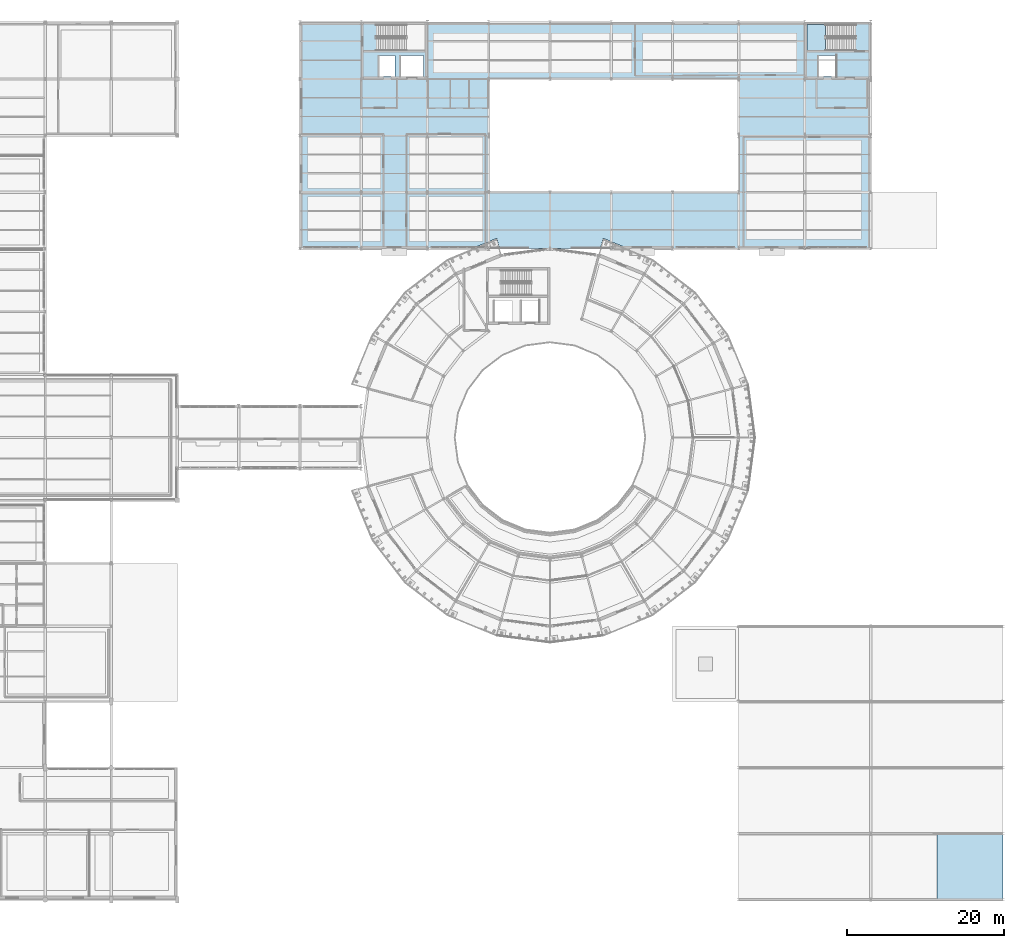
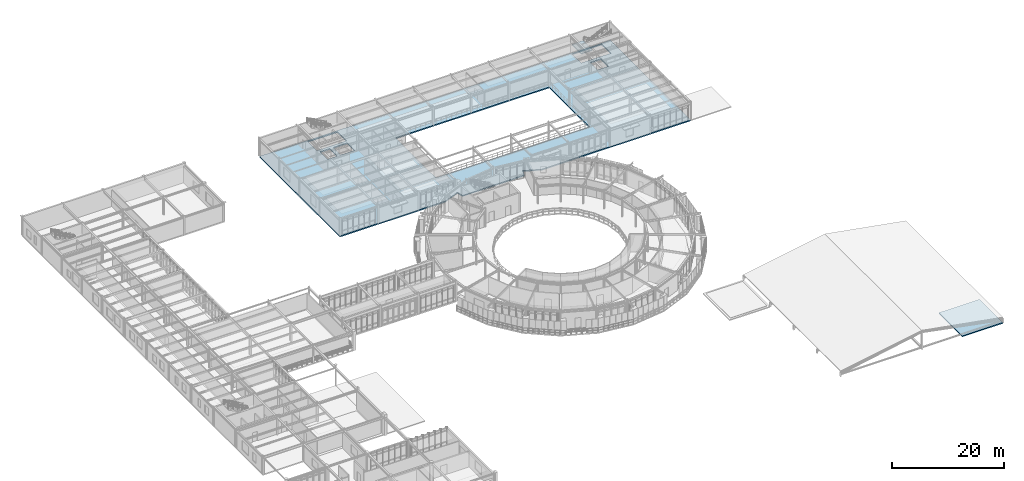
# One storey, part 66 of 90: 3 slabs, 1 element without a shape of its own.
"""IFC4 building model written with IfcOpenShell, lengths in metres."""

from ifc_helpers import new_model, si_unit, derived_unit, direction, frame, origin, place, context, subcontext, project, spatial, polyline, outline, extrude, material, layer, layer_set, type_object, element, aggregate, save


model = new_model("IFC4")

# Units and contexts
model_context = context("Model", 3, precision=1e-05, world=origin(), true_north=direction((0.0, 1.0)))
body_context = subcontext(model_context, "Body", "Model", "MODEL_VIEW")
ifc_project = project(units=[si_unit("LENGTHUNIT", "METRE"), si_unit("AREAUNIT", "SQUARE_METRE"), si_unit("VOLUMEUNIT", "CUBIC_METRE"), si_unit("PLANEANGLEUNIT", "RADIAN"), si_unit("MASSUNIT", "GRAM", prefix="KILO"), derived_unit("THERMALTRANSMITTANCEUNIT", [(si_unit("POWERUNIT", "WATT"), 1), (si_unit("AREAUNIT", "SQUARE_METRE"), -1), (si_unit("THERMODYNAMICTEMPERATUREUNIT", "KELVIN"), -1)])], contexts=[model_context])

# Site, building, storey
site_placement = place(None, origin())
site = spatial("IfcSite", under=ifc_project, at=site_placement, CompositionType="ELEMENT")
building_placement = place(site_placement, origin())
building = spatial("IfcBuilding", under=site, at=building_placement, Name="Yasenodar Specialist Clinic", CompositionType="ELEMENT")
storey_placement = place(building_placement, frame((0.0, 0.0, 9.0)))
storey = spatial("IfcBuildingStorey", under=building, at=storey_placement, Name="L02", CompositionType="ELEMENT", Elevation=9.0)

# Slab
ifc_material = material(Name="Concrete C30/37", Category="concrete")
ifc_layer_1 = layer(ifc_material, 0.25)
ifc_layer_set_1 = layer_set([ifc_layer_1], Name="Concrete C30/37")
slab_type_1 = type_object("IfcSlabType", Name="SLB-FLR-250", PredefinedType="FLOOR", material=ifc_layer_set_1)
slab_1_placement = place(storey_placement, frame((0.0, 0.0, -0.25)))
element("IfcSlab", 1, at=slab_1_placement, inside=storey, type_object=slab_type_1, Name="L02 V5 structural slab", PredefinedType="FLOOR", context=body_context, shape_type="SweptSolid", body=[
    extrude(outline(polyline([(49.199951171875, 82.800048828125), (49.199951171875, 111.60009765625), (121.800048828125, 111.60009765625), (121.800048828125, 82.800048828125), (90.976318359375, 82.800048828125), (87.77099609375, 84.127685546875), (87.415283203125, 82.800048828125), (81.0, 82.815185546875), (74.584716796875, 82.800048828125), (74.22900390625, 84.127685546875), (71.023681640625, 82.800048828125), (49.199951171875, 82.800048828125)]), holes=[polyline([(65.1201171875, 108.010009765625), (65.1201171875, 111.31005859375), (58.9599609375, 111.31005859375), (58.9599609375, 108.010009765625), (65.1201171875, 108.010009765625)]), polyline([(119.840087890625, 108.010009765625), (119.840087890625, 111.31005859375), (113.679931640625, 111.31005859375), (113.679931640625, 108.010009765625), (119.840087890625, 108.010009765625)]), polyline([(61.300048828125, 104.699951171875), (61.300048828125, 107.39990234375), (59.300048828125, 107.39990234375), (59.300048828125, 104.699951171875), (61.300048828125, 104.699951171875)]), polyline([(64.89990234375, 104.699951171875), (64.89990234375, 107.39990234375), (62.0, 107.39990234375), (62.0, 104.699951171875), (64.89990234375, 104.699951171875)]), polyline([(117.39990234375, 104.699951171875), (117.39990234375, 107.39990234375), (115.199951171875, 107.39990234375), (115.199951171875, 104.699951171875), (117.39990234375, 104.699951171875)]), polyline([(105.0, 90.0), (105.0, 104.39990234375), (73.199951171875, 104.39990234375), (73.199951171875, 90.0), (105.0, 90.0)])]), origin(), (0.0, 0.0, 1.0), 0.25),
])

# Stair, slab
stair_type = type_object("IfcStairType", Name="ST-DOG-C4-28", PredefinedType="HALF_TURN_STAIR", material=ifc_material)
stair_placement = place(storey_placement, origin())
stair = element("IfcStair", 2, at=stair_placement, inside=storey, type_object=stair_type, Name="L02 Core C5 Exit Stair ST-05", PredefinedType="HALF_TURN_STAIR")
ifc_layer_2 = layer(ifc_material, 0.199951171875)
ifc_layer_set_2 = layer_set([ifc_layer_2], Name="Concrete C30/37")
slab_type_2 = type_object("IfcSlabType", Name="SLB-LND-200", PredefinedType="LANDING", material=ifc_layer_set_2)
slab_2_placement = place(storey_placement, frame((0.0, 0.0, 1.89990234375)))
slab_2 = element("IfcSlab", 3, at=slab_2_placement, type_object=slab_type_2, Name="ST-05 landing 1", PredefinedType="LANDING", context=body_context, shape_type="SweptSolid", body=[
    extrude(outline(polyline([(116.030029296875, 111.31005859375), (113.679931640625, 111.31005859375), (113.679931640625, 108.010009765625), (116.030029296875, 108.010009765625), (116.030029296875, 111.31005859375)])), origin(), (0.0, 0.0, 1.0), 0.2001953125),
])
aggregate(stair, [slab_2])

# Slab
ifc_layer_3 = layer(ifc_material, 0.22509765625)
ifc_layer_set_3 = layer_set([ifc_layer_3], Name="Concrete C30/37")
slab_type_3 = type_object("IfcSlabType", Name="SLB-ROOF-225", PredefinedType="ROOF", material=ifc_layer_set_3)
slab_3_placement = place(storey_placement, frame((0.0, 0.0, -0.22509765625)))
element("IfcSlab", 4, at=slab_3_placement, inside=storey, type_object=slab_type_3, Name="Core C6 Overrun Roof Slab", PredefinedType="ROOF", context=body_context, shape_type="SweptSolid", body=[
    extrude(outline(polyline([(130.199951171875, 0.0), (138.60009765625, 0.0), (138.60009765625, 8.39990234375), (130.199951171875, 8.39990234375), (130.199951171875, 0.0)])), origin(), (0.0, 0.0, 1.0), 0.22509765625),
])

save(model, "model.ifc")
